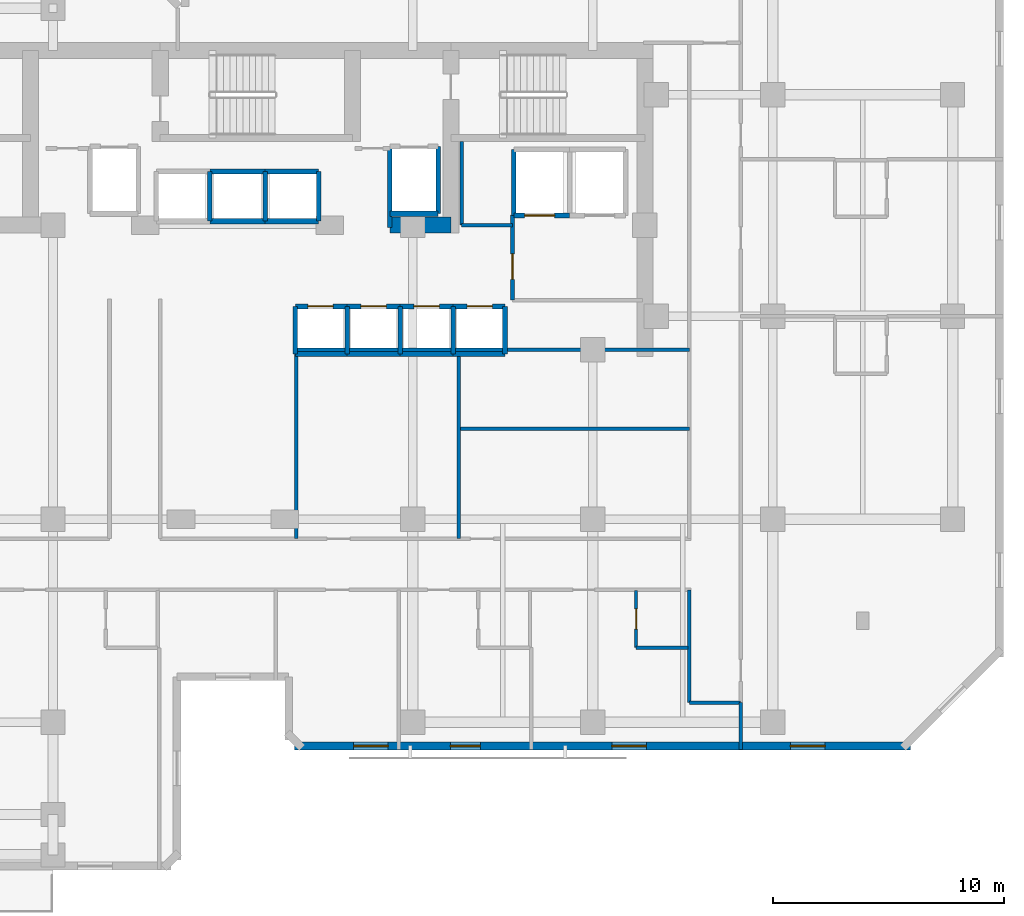
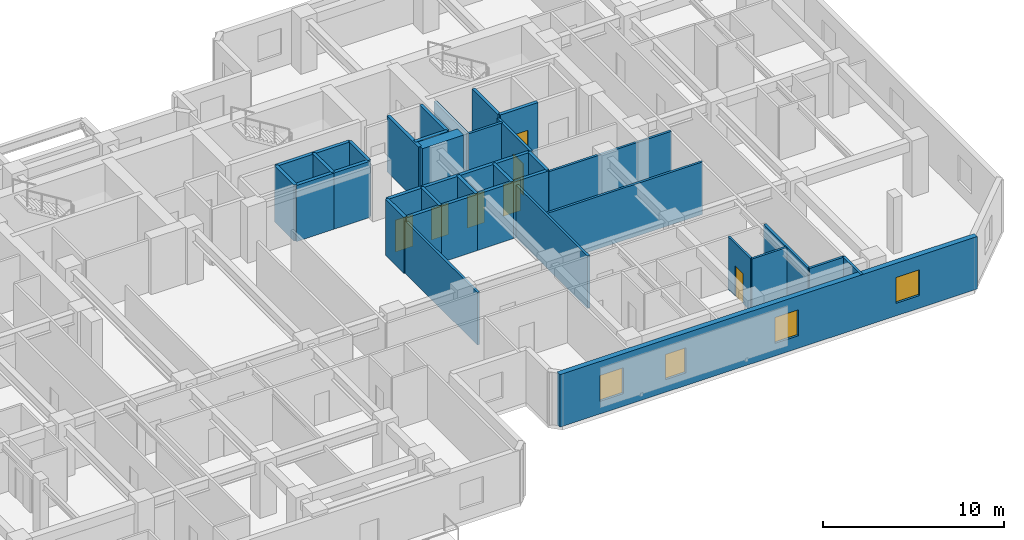
# One storey, part 6 of 11: 39 walls, 7 doors, 4 windows, 11 openings.
"""IFC4 building model written with IfcOpenShell, lengths in metres."""

from ifc_helpers import new_model, si_unit, direction, frame, frame_2d, origin, place, context, subcontext, project, spatial, rectangle, extrude, material, layer, layer_set, type_object, element, fill, save


model = new_model("IFC4")

# Units and contexts
model_context = context("Model", 3, precision=1e-05, world=origin(), true_north=direction((0.0, 1.0)))
body_context = subcontext(model_context, "Body", "Model", "MODEL_VIEW")
ifc_project = project(units=[si_unit("LENGTHUNIT", "METRE"), si_unit("AREAUNIT", "SQUARE_METRE"), si_unit("VOLUMEUNIT", "CUBIC_METRE"), si_unit("PLANEANGLEUNIT", "RADIAN"), si_unit("MASSUNIT", "GRAM", prefix="KILO")], contexts=[model_context])

# Site, building, storey
site_placement = place(None, origin())
site = spatial("IfcSite", under=ifc_project, at=site_placement, CompositionType="ELEMENT")
building_placement = place(site_placement, origin())
building = spatial("IfcBuilding", under=site, at=building_placement, Name="Kestravale Grand Hotel", CompositionType="ELEMENT")
storey_placement = place(building_placement, frame((0.0, 0.0, 172.60009765625)))
storey = spatial("IfcBuildingStorey", under=building, at=storey_placement, Name="L43", CompositionType="ELEMENT", Elevation=172.60009765625)

# Wall
ifc_material_1 = material(Name="Concrete f'c 60 MPa", Category="concrete")
ifc_layer_1 = layer(ifc_material_1, 0.699951171875)
ifc_layer_set_1 = layer_set([ifc_layer_1], Name="EW-CORE-700")
wall_type_1 = type_object("IfcWallType", Name="EW-CORE-700", PredefinedType="SHEAR", material=ifc_layer_set_1)
wall_1_placement = place(storey_placement, frame((45.81005859375, 32.75, 0.0), z_axis=(0.0, 0.0, 1.0), x_axis=(1.0, 0.0, 0.0)))
element("IfcWall", 1, at=wall_1_placement, inside=storey, type_object=wall_type_1, Name="L43 core shear wall S2", PredefinedType="SHEAR", context=body_context, shape_type="SweptSolid", body=[
    extrude(rectangle(XDim=2.639892578125, YDim=0.699951171875, at=frame_2d((1.31982421875, 0.0))), origin(), (0.0, 0.0, 1.0), 3.7998046875),
])

# Wall, openings, windows
ifc_material_2 = material(Name="Precast concrete f'c 45 MPa", Category="concrete")
ifc_layer_2 = layer(ifc_material_2, 0.340087890625)
ifc_layer_set_2 = layer_set([ifc_layer_2], Name="EW-PREC-340")
wall_type_2 = type_object("IfcWallType", Name="EW-PREC-340", PredefinedType="SOLIDWALL", material=ifc_layer_set_2)
wall_2_placement = place(storey_placement, frame((41.679931640625, 10.169921875, 0.0), z_axis=(0.0, 0.0, 1.0), x_axis=(1.0, 0.0, 0.0)))
wall_2 = element("IfcWall", 2, at=wall_2_placement, inside=storey, type_object=wall_type_2, Name="L43 fluted precast facade wall 7", PredefinedType="SOLIDWALL", context=body_context, shape_type="SweptSolid", body=[
    extrude(rectangle(XDim=26.690185546875, YDim=0.340087890625, at=frame_2d((13.34521484375, 0.0))), origin(), (0.0, 0.0, 1.0), 3.5498046875),
])
opening_1_placement = place(wall_2_placement, frame((2.54833984375, 0.0, 0.85009765625)))
opening_1 = element("IfcOpeningElement", 3, at=opening_1_placement, cuts=wall_2, Name="Opening W-GUEST-1500", PredefinedType="OPENING", context=body_context, shape_type="SweptSolid", body=[
    extrude(rectangle(XDim=1.5, YDim=1.75, at=frame_2d((0.75, 0.875))), frame((0.0, 0.179931640625, 0.0), z_axis=(0.0, -1.0, 0.0), x_axis=(1.0, 0.0, 0.0)), (0.0, 0.0, 1.0), 0.360107421875),
])
opening_2_placement = place(wall_2_placement, frame((13.7451171875, 0.0, 0.85009765625)))
opening_2 = element("IfcOpeningElement", 4, at=opening_2_placement, cuts=wall_2, Name="Opening W-GUEST-1500", PredefinedType="OPENING", context=body_context, shape_type="SweptSolid", body=[
    extrude(rectangle(XDim=1.5, YDim=1.75, at=frame_2d((0.75, 0.875))), frame((0.0, 0.179931640625, 0.0), z_axis=(0.0, -1.0, 0.0), x_axis=(1.0, 0.0, 0.0)), (0.0, 0.0, 1.0), 0.360107421875),
])
opening_3_placement = place(wall_2_placement, frame((21.49169921875, 0.0, 0.85009765625)))
opening_3 = element("IfcOpeningElement", 5, at=opening_3_placement, cuts=wall_2, Name="Opening W-GUEST-1500", PredefinedType="OPENING", context=body_context, shape_type="SweptSolid", body=[
    extrude(rectangle(XDim=1.5, YDim=1.75, at=frame_2d((0.75, 0.875))), frame((0.0, 0.179931640625, 0.0), z_axis=(0.0, -1.0, 0.0), x_axis=(1.0, 0.0, 0.0)), (0.0, 0.0, 1.0), 0.360107421875),
])
opening_4_placement = place(wall_2_placement, frame((6.748779296875, 0.0, 0.85009765625)))
opening_4 = element("IfcOpeningElement", 6, at=opening_4_placement, cuts=wall_2, Name="Opening W-GUEST-1300", PredefinedType="OPENING", context=body_context, shape_type="SweptSolid", body=[
    extrude(rectangle(XDim=1.300048828125, YDim=1.699951171875, at=frame_2d((0.64990234375, 0.85009765625))), frame((0.0, 0.179931640625, 0.0), z_axis=(0.0, -1.0, 0.0), x_axis=(1.0, 0.0, 0.0)), (0.0, 0.0, 1.0), 0.360107421875),
])
ifc_material_3 = material(Name="Insulated low-E double glazing in aluminium frame", Category="aluminium")
window_type_1 = type_object("IfcWindowType", Name="W-GUEST-1300", PartitioningType="SINGLE_PANEL", PredefinedType="WINDOW", material=ifc_material_3)
window_1_placement = place(opening_4_placement, origin())
window_1 = element("IfcWindow", 7, at=window_1_placement, inside=storey, type_object=window_type_1, Name="L43 guestroom envelope window 1", OverallHeight=1.699951171875, OverallWidth=1.300048828125, PartitioningType="SINGLE_PANEL", PredefinedType="WINDOW", context=body_context, shape_type="SweptSolid", body=[
    extrude(rectangle(XDim=1.300048828125, YDim=1.699951171875, at=frame_2d((0.64990234375, 0.85009765625))), frame((0.0, 0.030029296875, 0.0), z_axis=(0.0, -1.0, 0.0), x_axis=(1.0, 0.0, 0.0)), (0.0, 0.0, 1.0), 0.06005859375),
])
fill(opening_4, window_1)
ifc_material_4 = material(Name="Insulated low-E double glazing in aluminium frame", Category="aluminium")
window_type_2 = type_object("IfcWindowType", Name="W-GUEST-1500", PartitioningType="SINGLE_PANEL", PredefinedType="WINDOW", material=ifc_material_4)
window_2_placement = place(opening_1_placement, origin())
window_2 = element("IfcWindow", 8, at=window_2_placement, inside=storey, type_object=window_type_2, Name="L43 exterior window 7.1", OverallHeight=1.75, OverallWidth=1.5, PartitioningType="SINGLE_PANEL", PredefinedType="WINDOW", context=body_context, shape_type="SweptSolid", body=[
    extrude(rectangle(XDim=1.5, YDim=1.75, at=frame_2d((0.75, 0.875))), frame((0.0, 0.030029296875, 0.0), z_axis=(0.0, -1.0, 0.0), x_axis=(1.0, 0.0, 0.0)), (0.0, 0.0, 1.0), 0.06005859375),
])
fill(opening_1, window_2)
window_3_placement = place(opening_2_placement, origin())
window_3 = element("IfcWindow", 9, at=window_3_placement, inside=storey, type_object=window_type_2, Name="L43 exterior window 7.2", OverallHeight=1.75, OverallWidth=1.5, PartitioningType="SINGLE_PANEL", PredefinedType="WINDOW", context=body_context, shape_type="SweptSolid", body=[
    extrude(rectangle(XDim=1.5, YDim=1.75, at=frame_2d((0.75, 0.875))), frame((0.0, 0.030029296875, 0.0), z_axis=(0.0, -1.0, 0.0), x_axis=(1.0, 0.0, 0.0)), (0.0, 0.0, 1.0), 0.06005859375),
])
fill(opening_2, window_3)
window_4_placement = place(opening_3_placement, origin())
window_4 = element("IfcWindow", 10, at=window_4_placement, inside=storey, type_object=window_type_2, Name="L43 exterior window 7.3", OverallHeight=1.75, OverallWidth=1.5, PartitioningType="SINGLE_PANEL", PredefinedType="WINDOW", context=body_context, shape_type="SweptSolid", body=[
    extrude(rectangle(XDim=1.5, YDim=1.75, at=frame_2d((0.75, 0.875))), frame((0.0, 0.030029296875, 0.0), z_axis=(0.0, -1.0, 0.0), x_axis=(1.0, 0.0, 0.0)), (0.0, 0.0, 1.0), 0.06005859375),
])
fill(opening_3, window_4)

# Wall, opening, door
ifc_material_5 = material(Name="Acoustic fire-rated gypsum board partition", Category="other")
ifc_layer_3 = layer(ifc_material_5, 0.159912109375)
ifc_layer_set_3 = layer_set([ifc_layer_3], Name="IW-CORR-160")
wall_type_3 = type_object("IfcWallType", Name="IW-CORR-160", PredefinedType="PARTITIONING", material=ifc_layer_set_3)
wall_3_placement = place(storey_placement, frame((51.1201171875, 29.5, 0.0), z_axis=(0.0, 0.0, 1.0), x_axis=(0.0, 1.0, 0.0)))
wall_3 = element("IfcWall", 11, at=wall_3_placement, inside=storey, type_object=wall_type_3, Name="W-L43-SVCLOB-W", PredefinedType="PARTITIONING", context=body_context, shape_type="SweptSolid", body=[
    extrude(rectangle(XDim=3.699951171875, YDim=0.159912109375, at=frame_2d((1.85009765625, 0.0))), origin(), (0.0, 0.0, 1.0), 3.5498046875),
])
opening_5_placement = place(wall_3_placement, frame((0.89990234375, 0.0, 0.0)))
opening_5 = element("IfcOpeningElement", 12, at=opening_5_placement, cuts=wall_3, Name="Opening D-CORR-1100", PredefinedType="OPENING", context=body_context, shape_type="SweptSolid", body=[
    extrude(rectangle(XDim=1.10009765625, YDim=2.14990234375, at=frame_2d((0.550048828125, 1.074951171875))), frame((0.0, 0.08984375, 0.0), z_axis=(0.0, -1.0, 0.0), x_axis=(1.0, 0.0, 0.0)), (0.0, 0.0, 1.0), 0.179931640625),
])
ifc_material_6 = material(Name="Single-leaf service vestibule fire door", Category="steel")
door_type_1 = type_object("IfcDoorType", Name="D-CORR-1100", OperationType="NOTDEFINED", PredefinedType="DOOR", material=ifc_material_6)
door_1_placement = place(opening_5_placement, origin())
door_1 = element("IfcDoor", 13, at=door_1_placement, inside=storey, type_object=door_type_1, Name="L43 service lift lobby door", OperationType="SINGLE_SWING_LEFT", OverallHeight=2.14990234375, OverallWidth=1.10009765625, PredefinedType="DOOR", context=body_context, shape_type="SweptSolid", body=[
    extrude(rectangle(XDim=1.10009765625, YDim=2.14990234375, at=frame_2d((0.550048828125, 1.074951171875))), frame((0.0, 0.02490234375, 0.0), z_axis=(0.0, -1.0, 0.0), x_axis=(1.0, 0.0, 0.0)), (0.0, 0.0, 1.0), 0.050048828125),
])
fill(opening_5, door_1)

# Walls
wall_4_placement = place(storey_placement, frame((48.919921875, 32.75, 0.0), z_axis=(0.0, 0.0, 1.0), x_axis=(1.0, 0.0, 0.0)))
element("IfcWall", 14, at=wall_4_placement, inside=storey, type_object=wall_type_3, Name="W-L43-CES", PredefinedType="PARTITIONING", context=body_context, shape_type="SweptSolid", body=[
    extrude(rectangle(XDim=2.2001953125, YDim=0.159912109375, at=frame_2d((1.10009765625, 0.0))), origin(), (0.0, 0.0, 1.0), 3.5498046875),
])
wall_5_placement = place(storey_placement, frame((58.7900390625, 12.050048828125, 0.0), z_axis=(0.0, 0.0, 1.0), x_axis=(0.0, 1.0, 0.0)))
element("IfcWall", 15, at=wall_5_placement, inside=storey, type_object=wall_type_3, Name="W-L43-SE-W", PredefinedType="PARTITIONING", context=body_context, shape_type="SweptSolid", body=[
    extrude(rectangle(XDim=4.889892578125, YDim=0.159912109375, at=frame_2d((2.44482421875, 0.0))), origin(), (0.0, 0.0, 1.0), 3.5498046875),
])

# Wall, opening, door
ifc_material_7 = material(Name="Moisture-resistant tile-backer plumbing chase wall", Category="other")
ifc_layer_4 = layer(ifc_material_7, 0.139892578125)
ifc_layer_set_4 = layer_set([ifc_layer_4], Name="IW-PLB-140")
wall_type_4 = type_object("IfcWallType", Name="IW-PLB-140", PredefinedType="PLUMBINGWALL", material=ifc_layer_set_4)
wall_6_placement = place(storey_placement, frame((56.47998046875, 14.429931640625, 0.0), z_axis=(0.0, 0.0, 1.0), x_axis=(0.0, 1.0, 0.0)))
wall_6 = element("IfcWall", 16, at=wall_6_placement, inside=storey, type_object=wall_type_4, Name="W-L43-U03-BW", PredefinedType="PLUMBINGWALL", context=body_context, shape_type="SweptSolid", body=[
    extrude(rectangle(XDim=2.489990234375, YDim=0.139892578125, at=frame_2d((1.2451171875, 0.0))), origin(), (0.0, 0.0, 1.0), 3.5498046875),
])
opening_6_placement = place(wall_6_placement, frame((0.804931640625, 0.0, 0.0)))
opening_6 = element("IfcOpeningElement", 17, at=opening_6_placement, cuts=wall_6, Name="Opening D-BATH-880", PredefinedType="OPENING", context=body_context, shape_type="SweptSolid", body=[
    extrude(rectangle(XDim=0.8798828125, YDim=2.050048828125, at=frame_2d((0.43994140625, 1.02490234375))), frame((0.0, 0.079833984375, 0.0), z_axis=(0.0, -1.0, 0.0), x_axis=(1.0, 0.0, 0.0)), (0.0, 0.0, 1.0), 0.159912109375),
])
ifc_material_8 = material(Name="Moisture-sealed walnut en-suite bathroom door", Category="wood")
door_type_2 = type_object("IfcDoorType", Name="D-BATH-880", OperationType="NOTDEFINED", PredefinedType="DOOR", material=ifc_material_8)
door_2_placement = place(opening_6_placement, origin())
door_2 = element("IfcDoor", 18, at=door_2_placement, inside=storey, type_object=door_type_2, Name="D-L43-U03-BATH", OperationType="SINGLE_SWING_RIGHT", OverallHeight=2.050048828125, OverallWidth=0.8798828125, PredefinedType="DOOR", context=body_context, shape_type="SweptSolid", body=[
    extrude(rectangle(XDim=0.8798828125, YDim=2.050048828125, at=frame_2d((0.43994140625, 1.02490234375))), frame((0.0, 0.02490234375, 0.0), z_axis=(0.0, -1.0, 0.0), x_axis=(1.0, 0.0, 0.0)), (0.0, 0.0, 1.0), 0.050048828125),
])
fill(opening_6, door_2)

# Walls
wall_7_placement = place(storey_placement, frame((56.47998046875, 14.429931640625, 0.0), z_axis=(0.0, 0.0, 1.0), x_axis=(1.0, 0.0, 0.0)))
element("IfcWall", 19, at=wall_7_placement, inside=storey, type_object=wall_type_4, Name="W-L43-U03-BS", PredefinedType="PLUMBINGWALL", context=body_context, shape_type="SweptSolid", body=[
    extrude(rectangle(XDim=2.25, YDim=0.139892578125, at=frame_2d((1.125, 0.0))), origin(), (0.0, 0.0, 1.0), 3.5498046875),
])
ifc_material_9 = material(Name="Concrete f'c 45 MPa", Category="concrete")
ifc_layer_5 = layer(ifc_material_9, 0.199951171875)
ifc_layer_set_5 = layer_set([ifc_layer_5], Name="IW-SHAFT-200")
wall_type_5 = type_object("IfcWallType", Name="IW-SHAFT-200", PredefinedType="SHEAR", material=ifc_layer_set_5)
for number, where, z_axis, x_axis, name in (
    (20, (41.705078125, 27.169921875, 0.0), (0.0, 0.0, 1.0), (0.0, 1.0, 0.0), "L43 PL-M1 west shaft wall"),
    (21, (43.949951171875, 27.169921875, 0.0), (0.0, 0.0, 1.0), (0.0, 1.0, 0.0), "L43 PL-M2 west shaft wall"),
    (22, (46.25, 27.169921875, 0.0), (0.0, 0.0, 1.0), (0.0, 1.0, 0.0), "L43 PL-M3 west shaft wall"),
    (23, (48.550048828125, 27.169921875, 0.0), (0.0, 0.0, 1.0), (0.0, 1.0, 0.0), "L43 PL-M4 west shaft wall"),
    (24, (50.794921875, 27.169921875, 0.0), (0.0, 0.0, 1.0), (0.0, 1.0, 0.0), "L43 PL-M4 east shaft wall"),
):
    element("IfcWall", number, at=place(storey_placement, frame(where, z_axis=z_axis, x_axis=x_axis)), inside=storey, type_object=wall_type_5, Name=name, PredefinedType="SHEAR", context=body_context, shape_type="SweptSolid", body=[
        extrude(rectangle(XDim=2.06005859375, YDim=0.199951171875, at=frame_2d((1.030029296875, 0.0))), origin(), (0.0, 0.0, 1.0), 3.7998046875),
    ])
for number, where, z_axis, x_axis, name in (
    (25, (38.0, 32.919921875, 0.0), (0.0, 0.0, 1.0), (0.0, 1.0, 0.0), "L43 PL-X2 west shaft wall"),
    (26, (40.39990234375, 32.919921875, 0.0), (0.0, 0.0, 1.0), (0.0, 1.0, 0.0), "L43 PL-X3 west shaft wall"),
    (27, (42.719970703125, 32.919921875, 0.0), (0.0, 0.0, 1.0), (0.0, 1.0, 0.0), "L43 PL-X3 east shaft wall"),
):
    element("IfcWall", number, at=place(storey_placement, frame(where, z_axis=z_axis, x_axis=x_axis)), inside=storey, type_object=wall_type_5, Name=name, PredefinedType="SHEAR", context=body_context, shape_type="SweptSolid", body=[
        extrude(rectangle(XDim=2.16015625, YDim=0.199951171875, at=frame_2d((1.080078125, 0.0))), origin(), (0.0, 0.0, 1.0), 3.7998046875),
    ])
wall_8_placement = place(storey_placement, frame((51.179931640625, 33.169921875, 0.0), z_axis=(0.0, 0.0, 1.0), x_axis=(0.0, 1.0, 0.0)))
element("IfcWall", 28, at=wall_8_placement, inside=storey, type_object=wall_type_5, Name="L43 SL-1 west shaft wall", PredefinedType="SHEAR", context=body_context, shape_type="SweptSolid", body=[
    extrude(rectangle(XDim=2.860107421875, YDim=0.199951171875, at=frame_2d((1.43017578125, 0.0))), origin(), (0.0, 0.0, 1.0), 3.7998046875),
])
wall_9_placement = place(storey_placement, frame((45.804931640625, 32.64990234375, 0.0), z_axis=(0.0, 0.0, 1.0), x_axis=(0.0, 1.0, 0.0)))
element("IfcWall", 29, at=wall_9_placement, inside=storey, type_object=wall_type_5, Name="L43 FL-2 west shaft wall", PredefinedType="SHEAR", context=body_context, shape_type="SweptSolid", body=[
    extrude(rectangle(XDim=3.505126953125, YDim=0.199951171875, at=frame_2d((1.75244140625, 0.0))), origin(), (0.0, 0.0, 1.0), 3.7998046875),
])
wall_10_placement = place(storey_placement, frame((47.89501953125, 33.2451171875, 0.0), z_axis=(0.0, 0.0, 1.0), x_axis=(0.0, 1.0, 0.0)))
element("IfcWall", 30, at=wall_10_placement, inside=storey, type_object=wall_type_5, Name="L43 FL-2 east shaft wall", PredefinedType="SHEAR", context=body_context, shape_type="SweptSolid", body=[
    extrude(rectangle(XDim=2.909912109375, YDim=0.199951171875, at=frame_2d((1.455078125, 0.0))), origin(), (0.0, 0.0, 1.0), 3.7998046875),
])

# Wall, opening, door
ifc_material_10 = material(Name="Concrete f'c 45 MPa", Category="concrete")
ifc_layer_6 = layer(ifc_material_10, 0.219970703125)
ifc_layer_set_6 = layer_set([ifc_layer_6], Name="IW-SHAFT-220")
wall_type_6 = type_object("IfcWallType", Name="IW-SHAFT-220", PredefinedType="SHEAR", material=ifc_layer_set_6)
wall_11_placement = place(storey_placement, frame((41.705078125, 29.22998046875, 0.0), z_axis=(0.0, 0.0, 1.0), x_axis=(1.0, 0.0, 0.0)))
wall_11 = element("IfcWall", 31, at=wall_11_placement, inside=storey, type_object=wall_type_6, Name="L43 PL-M1 north shaft wall", PredefinedType="SHEAR", context=body_context, shape_type="SweptSolid", body=[
    extrude(rectangle(XDim=2.244873046875, YDim=0.219970703125, at=frame_2d((1.12255859375, 0.0))), origin(), (0.0, 0.0, 1.0), 3.7998046875),
])
opening_7_placement = place(wall_11_placement, frame((0.544921875, 0.0, 0.0)))
opening_7 = element("IfcOpeningElement", 32, at=opening_7_placement, cuts=wall_11, Name="Opening LD-PAX-1100", PredefinedType="OPENING", context=body_context, shape_type="SweptSolid", body=[
    extrude(rectangle(XDim=1.10009765625, YDim=2.14990234375, at=frame_2d((0.550048828125, 1.074951171875))), frame((0.0, 0.119873046875, 0.0), z_axis=(0.0, -1.0, 0.0), x_axis=(1.0, 0.0, 0.0)), (0.0, 0.0, 1.0), 0.239990234375),
])
ifc_material_11 = material(Name="Champagne-bronze center-opening sliding elevator landing door", Category="steel")
door_type_3 = type_object("IfcDoorType", Name="LD-PAX-1100", OperationType="NOTDEFINED", PredefinedType="DOOR", material=ifc_material_11)
door_3_placement = place(opening_7_placement, origin())
door_3 = element("IfcDoor", 33, at=door_3_placement, inside=storey, type_object=door_type_3, Name="L43 PL-M1 elevator landing sliding door", OperationType="DOUBLE_DOOR_SLIDING", OverallHeight=2.14990234375, OverallWidth=1.10009765625, PredefinedType="DOOR", context=body_context, shape_type="SweptSolid", body=[
    extrude(rectangle(XDim=1.10009765625, YDim=2.14990234375, at=frame_2d((0.550048828125, 1.074951171875))), frame((0.0, 0.02490234375, 0.0), z_axis=(0.0, -1.0, 0.0), x_axis=(1.0, 0.0, 0.0)), (0.0, 0.0, 1.0), 0.050048828125),
])
fill(opening_7, door_3)

# Wall
wall_12_placement = place(storey_placement, frame((41.705078125, 27.169921875, 0.0), z_axis=(0.0, 0.0, 1.0), x_axis=(1.0, 0.0, 0.0)))
element("IfcWall", 34, at=wall_12_placement, inside=storey, type_object=wall_type_6, Name="L43 PL-M1 south shaft wall", PredefinedType="SHEAR", context=body_context, shape_type="SweptSolid", body=[
    extrude(rectangle(XDim=2.244873046875, YDim=0.219970703125, at=frame_2d((1.12255859375, 0.0))), origin(), (0.0, 0.0, 1.0), 3.7998046875),
])

# Wall, opening, door
wall_13_placement = place(storey_placement, frame((43.949951171875, 29.22998046875, 0.0), z_axis=(0.0, 0.0, 1.0), x_axis=(1.0, 0.0, 0.0)))
wall_13 = element("IfcWall", 35, at=wall_13_placement, inside=storey, type_object=wall_type_6, Name="L43 PL-M2 north shaft wall", PredefinedType="SHEAR", context=body_context, shape_type="SweptSolid", body=[
    extrude(rectangle(XDim=2.300048828125, YDim=0.219970703125, at=frame_2d((1.14990234375, 0.0))), origin(), (0.0, 0.0, 1.0), 3.7998046875),
])
opening_8_placement = place(wall_13_placement, frame((0.60009765625, 0.0, 0.0)))
opening_8 = element("IfcOpeningElement", 36, at=opening_8_placement, cuts=wall_13, Name="Opening LD-PAX-1100", PredefinedType="OPENING", context=body_context, shape_type="SweptSolid", body=[
    extrude(rectangle(XDim=1.10009765625, YDim=2.14990234375, at=frame_2d((0.550048828125, 1.074951171875))), frame((0.0, 0.119873046875, 0.0), z_axis=(0.0, -1.0, 0.0), x_axis=(1.0, 0.0, 0.0)), (0.0, 0.0, 1.0), 0.239990234375),
])
door_4_placement = place(opening_8_placement, origin())
door_4 = element("IfcDoor", 37, at=door_4_placement, inside=storey, type_object=door_type_3, Name="L43 PL-M2 elevator landing sliding door", OperationType="DOUBLE_DOOR_SLIDING", OverallHeight=2.14990234375, OverallWidth=1.10009765625, PredefinedType="DOOR", context=body_context, shape_type="SweptSolid", body=[
    extrude(rectangle(XDim=1.10009765625, YDim=2.14990234375, at=frame_2d((0.550048828125, 1.074951171875))), frame((0.0, 0.02490234375, 0.0), z_axis=(0.0, -1.0, 0.0), x_axis=(1.0, 0.0, 0.0)), (0.0, 0.0, 1.0), 0.050048828125),
])
fill(opening_8, door_4)

# Wall
wall_14_placement = place(storey_placement, frame((43.949951171875, 27.169921875, 0.0), z_axis=(0.0, 0.0, 1.0), x_axis=(1.0, 0.0, 0.0)))
element("IfcWall", 38, at=wall_14_placement, inside=storey, type_object=wall_type_6, Name="L43 PL-M2 south shaft wall", PredefinedType="SHEAR", context=body_context, shape_type="SweptSolid", body=[
    extrude(rectangle(XDim=2.300048828125, YDim=0.219970703125, at=frame_2d((1.14990234375, 0.0))), origin(), (0.0, 0.0, 1.0), 3.7998046875),
])

# Wall, opening, door
wall_15_placement = place(storey_placement, frame((46.25, 29.22998046875, 0.0), z_axis=(0.0, 0.0, 1.0), x_axis=(1.0, 0.0, 0.0)))
wall_15 = element("IfcWall", 39, at=wall_15_placement, inside=storey, type_object=wall_type_6, Name="L43 PL-M3 north shaft wall", PredefinedType="SHEAR", context=body_context, shape_type="SweptSolid", body=[
    extrude(rectangle(XDim=2.300048828125, YDim=0.219970703125, at=frame_2d((1.14990234375, 0.0))), origin(), (0.0, 0.0, 1.0), 3.7998046875),
])
opening_9_placement = place(wall_15_placement, frame((0.60009765625, 0.0, 0.0)))
opening_9 = element("IfcOpeningElement", 40, at=opening_9_placement, cuts=wall_15, Name="Opening LD-PAX-1100", PredefinedType="OPENING", context=body_context, shape_type="SweptSolid", body=[
    extrude(rectangle(XDim=1.10009765625, YDim=2.14990234375, at=frame_2d((0.550048828125, 1.074951171875))), frame((0.0, 0.119873046875, 0.0), z_axis=(0.0, -1.0, 0.0), x_axis=(1.0, 0.0, 0.0)), (0.0, 0.0, 1.0), 0.239990234375),
])
door_5_placement = place(opening_9_placement, origin())
door_5 = element("IfcDoor", 41, at=door_5_placement, inside=storey, type_object=door_type_3, Name="L43 PL-M3 elevator landing sliding door", OperationType="DOUBLE_DOOR_SLIDING", OverallHeight=2.14990234375, OverallWidth=1.10009765625, PredefinedType="DOOR", context=body_context, shape_type="SweptSolid", body=[
    extrude(rectangle(XDim=1.10009765625, YDim=2.14990234375, at=frame_2d((0.550048828125, 1.074951171875))), frame((0.0, 0.02490234375, 0.0), z_axis=(0.0, -1.0, 0.0), x_axis=(1.0, 0.0, 0.0)), (0.0, 0.0, 1.0), 0.050048828125),
])
fill(opening_9, door_5)

# Wall
wall_16_placement = place(storey_placement, frame((46.25, 27.169921875, 0.0), z_axis=(0.0, 0.0, 1.0), x_axis=(1.0, 0.0, 0.0)))
element("IfcWall", 42, at=wall_16_placement, inside=storey, type_object=wall_type_6, Name="L43 PL-M3 south shaft wall", PredefinedType="SHEAR", context=body_context, shape_type="SweptSolid", body=[
    extrude(rectangle(XDim=2.300048828125, YDim=0.219970703125, at=frame_2d((1.14990234375, 0.0))), origin(), (0.0, 0.0, 1.0), 3.7998046875),
])

# Wall, opening, door
wall_17_placement = place(storey_placement, frame((48.550048828125, 29.22998046875, 0.0), z_axis=(0.0, 0.0, 1.0), x_axis=(1.0, 0.0, 0.0)))
wall_17 = element("IfcWall", 43, at=wall_17_placement, inside=storey, type_object=wall_type_6, Name="L43 PL-M4 north shaft wall", PredefinedType="SHEAR", context=body_context, shape_type="SweptSolid", body=[
    extrude(rectangle(XDim=2.244873046875, YDim=0.219970703125, at=frame_2d((1.12255859375, 0.0))), origin(), (0.0, 0.0, 1.0), 3.7998046875),
])
opening_10_placement = place(wall_17_placement, frame((0.60009765625, 0.0, 0.0)))
opening_10 = element("IfcOpeningElement", 44, at=opening_10_placement, cuts=wall_17, Name="Opening LD-PAX-1100", PredefinedType="OPENING", context=body_context, shape_type="SweptSolid", body=[
    extrude(rectangle(XDim=1.10009765625, YDim=2.14990234375, at=frame_2d((0.550048828125, 1.074951171875))), frame((0.0, 0.119873046875, 0.0), z_axis=(0.0, -1.0, 0.0), x_axis=(1.0, 0.0, 0.0)), (0.0, 0.0, 1.0), 0.239990234375),
])
door_6_placement = place(opening_10_placement, origin())
door_6 = element("IfcDoor", 45, at=door_6_placement, inside=storey, type_object=door_type_3, Name="L43 PL-M4 elevator landing sliding door", OperationType="DOUBLE_DOOR_SLIDING", OverallHeight=2.14990234375, OverallWidth=1.10009765625, PredefinedType="DOOR", context=body_context, shape_type="SweptSolid", body=[
    extrude(rectangle(XDim=1.10009765625, YDim=2.14990234375, at=frame_2d((0.550048828125, 1.074951171875))), frame((0.0, 0.02490234375, 0.0), z_axis=(0.0, -1.0, 0.0), x_axis=(1.0, 0.0, 0.0)), (0.0, 0.0, 1.0), 0.050048828125),
])
fill(opening_10, door_6)

# Walls
wall_18_placement = place(storey_placement, frame((48.550048828125, 27.169921875, 0.0), z_axis=(0.0, 0.0, 1.0), x_axis=(1.0, 0.0, 0.0)))
element("IfcWall", 46, at=wall_18_placement, inside=storey, type_object=wall_type_6, Name="L43 PL-M4 south shaft wall", PredefinedType="SHEAR", context=body_context, shape_type="SweptSolid", body=[
    extrude(rectangle(XDim=2.244873046875, YDim=0.219970703125, at=frame_2d((1.12255859375, 0.0))), origin(), (0.0, 0.0, 1.0), 3.7998046875),
])
for number, where, z_axis, x_axis, name in (
    (47, (38.0, 35.080078125, 0.0), (0.0, 0.0, 1.0), (1.0, 0.0, 0.0), "L43 PL-X2 north shaft wall"),
    (48, (38.0, 32.919921875, 0.0), (0.0, 0.0, 1.0), (1.0, 0.0, 0.0), "L43 PL-X2 south shaft wall"),
):
    element("IfcWall", number, at=place(storey_placement, frame(where, z_axis=z_axis, x_axis=x_axis)), inside=storey, type_object=wall_type_6, Name=name, PredefinedType="SHEAR", context=body_context, shape_type="SweptSolid", body=[
        extrude(rectangle(XDim=2.39990234375, YDim=0.219970703125, at=frame_2d((1.199951171875, 0.0))), origin(), (0.0, 0.0, 1.0), 3.7998046875),
    ])
for number, where, z_axis, x_axis, name in (
    (49, (40.39990234375, 35.080078125, 0.0), (0.0, 0.0, 1.0), (1.0, 0.0, 0.0), "L43 PL-X3 north shaft wall"),
    (50, (40.39990234375, 32.919921875, 0.0), (0.0, 0.0, 1.0), (1.0, 0.0, 0.0), "L43 PL-X3 south shaft wall"),
):
    element("IfcWall", number, at=place(storey_placement, frame(where, z_axis=z_axis, x_axis=x_axis)), inside=storey, type_object=wall_type_6, Name=name, PredefinedType="SHEAR", context=body_context, shape_type="SweptSolid", body=[
        extrude(rectangle(XDim=2.320068359375, YDim=0.219970703125, at=frame_2d((1.16015625, 0.0))), origin(), (0.0, 0.0, 1.0), 3.7998046875),
    ])

# Wall, opening, door
wall_19_placement = place(storey_placement, frame((51.179931640625, 33.169921875, 0.0), z_axis=(0.0, 0.0, 1.0), x_axis=(1.0, 0.0, 0.0)))
wall_19 = element("IfcWall", 51, at=wall_19_placement, inside=storey, type_object=wall_type_6, Name="L43 SL-1 south shaft wall", PredefinedType="SHEAR", context=body_context, shape_type="SweptSolid", body=[
    extrude(rectangle(XDim=2.420166015625, YDim=0.219970703125, at=frame_2d((1.2099609375, 0.0))), origin(), (0.0, 0.0, 1.0), 3.7998046875),
])
opening_11_placement = place(wall_19_placement, frame((0.469970703125, 0.0, 0.0)))
opening_11 = element("IfcOpeningElement", 52, at=opening_11_placement, cuts=wall_19, Name="Opening LD-SVC-1300", PredefinedType="OPENING", context=body_context, shape_type="SweptSolid", body=[
    extrude(rectangle(XDim=1.300048828125, YDim=2.14990234375, at=frame_2d((0.64990234375, 1.074951171875))), frame((0.0, 0.119873046875, 0.0), z_axis=(0.0, -1.0, 0.0), x_axis=(1.0, 0.0, 0.0)), (0.0, 0.0, 1.0), 0.239990234375),
])
ifc_material_12 = material(Name="Heavy-duty service sliding elevator landing door", Category="steel")
door_type_4 = type_object("IfcDoorType", Name="LD-SVC-1300", OperationType="NOTDEFINED", PredefinedType="DOOR", material=ifc_material_12)
door_7_placement = place(opening_11_placement, origin())
door_7 = element("IfcDoor", 53, at=door_7_placement, inside=storey, type_object=door_type_4, Name="L43 SL-1 elevator landing sliding door", OperationType="DOUBLE_DOOR_SLIDING", OverallHeight=2.14990234375, OverallWidth=1.300048828125, PredefinedType="DOOR", context=body_context, shape_type="SweptSolid", body=[
    extrude(rectangle(XDim=1.300048828125, YDim=2.14990234375, at=frame_2d((0.64990234375, 1.074951171875))), frame((0.0, 0.02490234375, 0.0), z_axis=(0.0, -1.0, 0.0), x_axis=(1.0, 0.0, 0.0)), (0.0, 0.0, 1.0), 0.050048828125),
])
fill(opening_11, door_7)

# Walls
wall_20_placement = place(storey_placement, frame((45.804931640625, 33.2451171875, 0.0), z_axis=(0.0, 0.0, 1.0), x_axis=(1.0, 0.0, 0.0)))
element("IfcWall", 54, at=wall_20_placement, inside=storey, type_object=wall_type_6, Name="L43 FL-2 south shaft wall", PredefinedType="SHEAR", context=body_context, shape_type="SweptSolid", body=[
    extrude(rectangle(XDim=2.090087890625, YDim=0.219970703125, at=frame_2d((1.044921875, 0.0))), origin(), (0.0, 0.0, 1.0), 3.7998046875),
])
ifc_material_13 = material(Name="Double-stud STC 52 acoustic demising partition", Category="other")
ifc_layer_7 = layer(ifc_material_13, 0.14990234375)
ifc_layer_set_7 = layer_set([ifc_layer_7], Name="IW-UNIT-150")
wall_type_7 = type_object("IfcWallType", Name="IW-UNIT-150", PredefinedType="PARTITIONING", material=ifc_layer_set_7)
wall_21_placement = place(storey_placement, frame((48.919921875, 32.75, 0.0), z_axis=(0.0, 0.0, 1.0), x_axis=(0.0, 1.0, 0.0)))
element("IfcWall", 55, at=wall_21_placement, inside=storey, type_object=wall_type_7, Name="W-L43-CEW", PredefinedType="PARTITIONING", context=body_context, shape_type="SweptSolid", body=[
    extrude(rectangle(XDim=3.6201171875, YDim=0.14990234375, at=frame_2d((1.81005859375, 0.0))), origin(), (0.0, 0.0, 1.0), 3.5498046875),
])
wall_22_placement = place(storey_placement, frame((58.7900390625, 12.050048828125, 0.0), z_axis=(0.0, 0.0, 1.0), x_axis=(1.0, 0.0, 0.0)))
element("IfcWall", 56, at=wall_22_placement, inside=storey, type_object=wall_type_7, Name="W-L43-SE-S", PredefinedType="PARTITIONING", context=body_context, shape_type="SweptSolid", body=[
    extrude(rectangle(XDim=2.219970703125, YDim=0.14990234375, at=frame_2d((1.10986328125, 0.0))), origin(), (0.0, 0.0, 1.0), 3.5498046875),
])
wall_23_placement = place(storey_placement, frame((41.75, 19.159912109375, 0.0), z_axis=(0.0, 0.0, 1.0), x_axis=(0.0, 1.0, 0.0)))
element("IfcWall", 57, at=wall_23_placement, inside=storey, type_object=wall_type_7, Name="W-L43-RCLE-W", PredefinedType="PARTITIONING", context=body_context, shape_type="SweptSolid", body=[
    extrude(rectangle(XDim=8.010009765625, YDim=0.14990234375, at=frame_2d((4.0048828125, 0.0))), origin(), (0.0, 0.0, 1.0), 3.5498046875),
])
wall_24_placement = place(storey_placement, frame((48.800048828125, 19.159912109375, 0.0), z_axis=(0.0, 0.0, 1.0), x_axis=(0.0, 1.0, 0.0)))
element("IfcWall", 58, at=wall_24_placement, inside=storey, type_object=wall_type_7, Name="W-L43-RCLE-M", PredefinedType="PARTITIONING", context=body_context, shape_type="SweptSolid", body=[
    extrude(rectangle(XDim=7.989990234375, YDim=0.14990234375, at=frame_2d((3.9951171875, 0.0))), origin(), (0.0, 0.0, 1.0), 3.5498046875),
])
wall_25_placement = place(storey_placement, frame((41.75, 27.35009765625, 0.0), z_axis=(0.0, 0.0, 1.0), x_axis=(1.0, 0.0, 0.0)))
element("IfcWall", 59, at=wall_25_placement, inside=storey, type_object=wall_type_7, Name="W-L43-RCLE-N", PredefinedType="PARTITIONING", context=body_context, shape_type="SweptSolid", body=[
    extrude(rectangle(XDim=17.0400390625, YDim=0.14990234375, at=frame_2d((8.52001953125, 0.0))), origin(), (0.0, 0.0, 1.0), 3.5498046875),
])
wall_26_placement = place(storey_placement, frame((48.800048828125, 23.919921875, 0.0), z_axis=(0.0, 0.0, 1.0), x_axis=(1.0, 0.0, 0.0)))
element("IfcWall", 60, at=wall_26_placement, inside=storey, type_object=wall_type_7, Name="W-L43-RCLE-H", PredefinedType="PARTITIONING", context=body_context, shape_type="SweptSolid", body=[
    extrude(rectangle(XDim=9.989990234375, YDim=0.14990234375, at=frame_2d((4.9951171875, 0.0))), origin(), (0.0, 0.0, 1.0), 3.5498046875),
])
wall_27_placement = place(storey_placement, frame((61.010009765625, 10.02001953125, 0.0), z_axis=(0.0, 0.0, 1.0), x_axis=(0.0, 1.0, 0.0)))
element("IfcWall", 61, at=wall_27_placement, inside=storey, type_object=wall_type_7, Name="W-L43-SE-EXT", PredefinedType="PARTITIONING", context=body_context, shape_type="SweptSolid", body=[
    extrude(rectangle(XDim=2.030029296875, YDim=0.14990234375, at=frame_2d((1.01513671875, 0.0))), origin(), (0.0, 0.0, 1.0), 3.5498046875),
])

save(model, "model.ifc")
